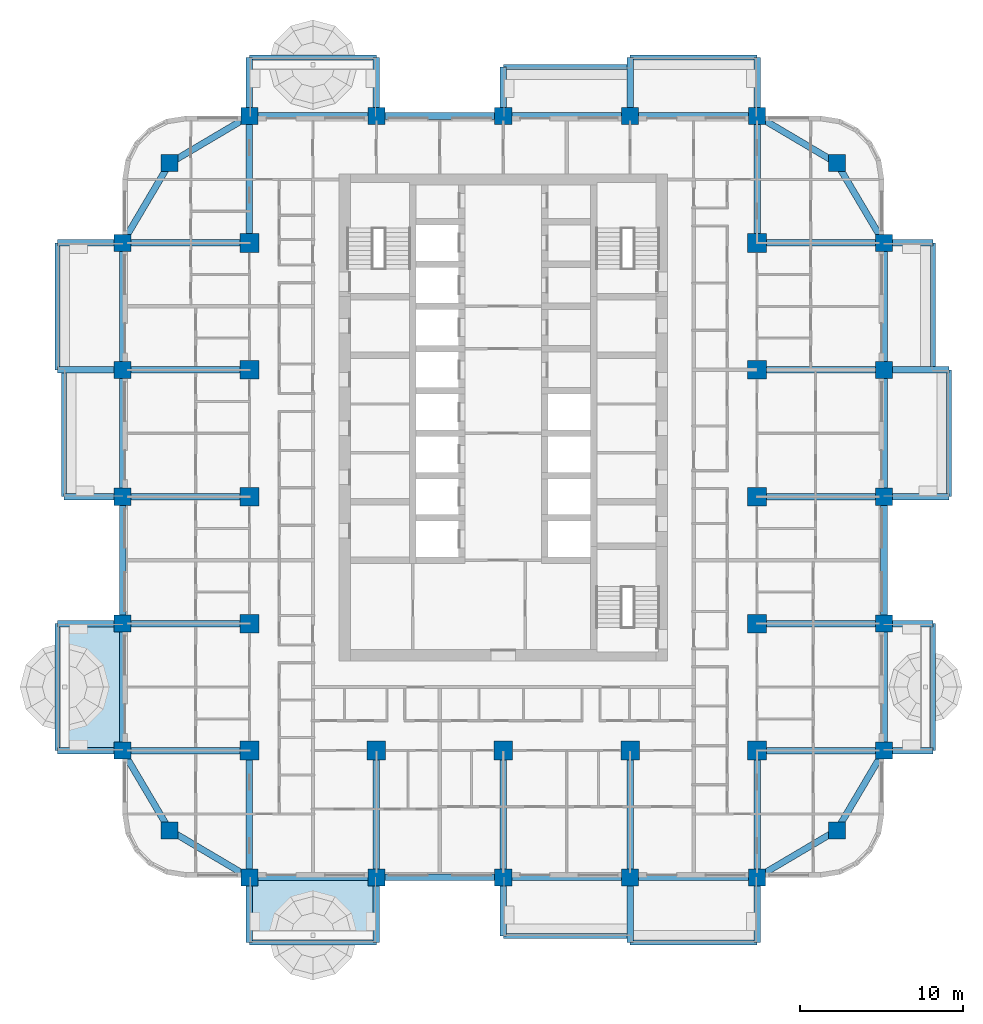
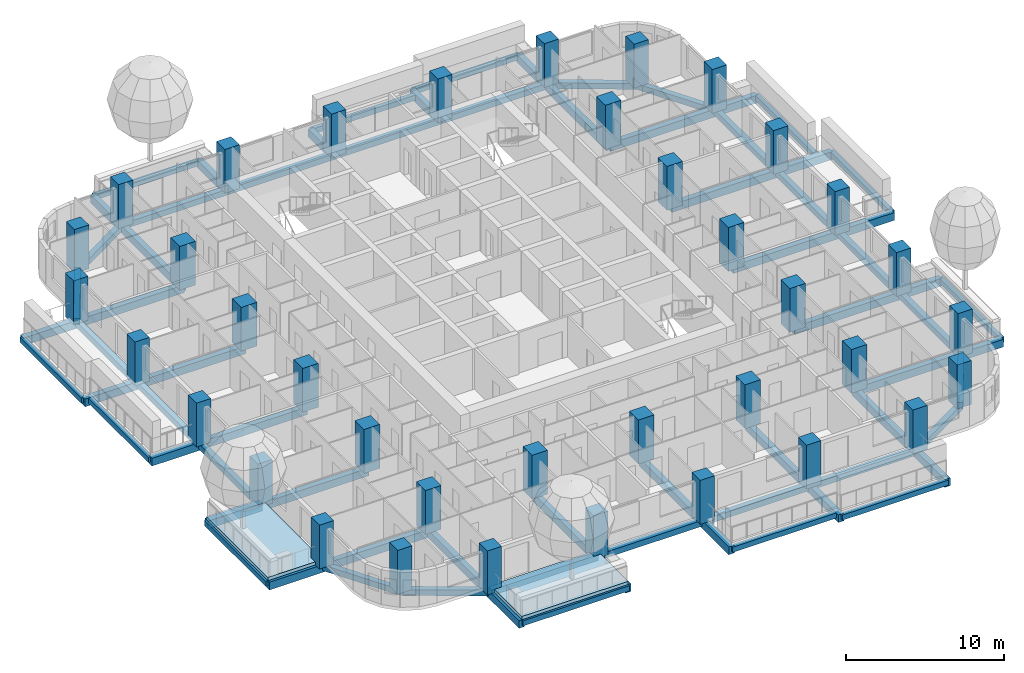
# One storey, part 1 of 19: 73 beams, 37 columns, 2 slabs.
"""IFC4 building model written with IfcOpenShell, lengths in metres."""

from ifc_helpers import new_model, si_unit, direction, frame, origin, origin_2d, place, context, subcontext, project, spatial, polyline, rectangle, outline, extrude, material, layer, layer_set, material_profile, profile_set, type_object, element, save


model = new_model("IFC4")

# Units and contexts
model_context = context("Model", 3, precision=1e-05, world=origin(), true_north=direction((0.0, 1.0)))
body_context = subcontext(model_context, "Body", "Model", "MODEL_VIEW")
ifc_project = project(units=[si_unit("LENGTHUNIT", "METRE"), si_unit("AREAUNIT", "SQUARE_METRE"), si_unit("VOLUMEUNIT", "CUBIC_METRE"), si_unit("PLANEANGLEUNIT", "RADIAN"), si_unit("MASSUNIT", "GRAM", prefix="KILO")], contexts=[model_context])

# Site, building, storey
site_placement = place(None, origin())
site = spatial("IfcSite", under=ifc_project, at=site_placement, CompositionType="ELEMENT")
building_placement = place(site_placement, origin())
building = spatial("IfcBuilding", under=site, at=building_placement, Name="Ludao Terraces", CompositionType="ELEMENT")
storey_placement = place(building_placement, frame((0.0, 0.0, 36.5)))
storey = spatial("IfcBuildingStorey", under=building, at=storey_placement, Name="L09", CompositionType="ELEMENT", Elevation=36.5)

# Columns
ifc_material_1 = material(Name="Concrete C60", Category="concrete")
ifc_material_profile_1 = material_profile(ifc_material_1, rectangle(XDim=1.050048828125, YDim=1.050048828125, at=origin_2d()), Name="1050 X 1050")
ifc_profile_set_1 = profile_set([ifc_material_profile_1], Name="Concrete C60")
column_type_1 = type_object("IfcColumnType", Name="RC column 1050x1050 C60", PredefinedType="COLUMN", material=ifc_profile_set_1)
for number, where, z_axis, x_axis, name in (
    (1, (64.5, 44.5, -0.25), (0.0, 0.0, 1.0), (1.0, 0.0, 0.0), "Column L09 C0029x0029"),
    (2, (105.5, 44.5, -0.25), (0.0, 0.0, 1.0), (1.0, 0.0, 0.0), "Column L09 C0439x0029"),
    (3, (64.5, 85.5, -0.25), (0.0, 0.0, 1.0), (1.0, 0.0, 0.0), "Column L09 C0029x0439"),
    (4, (105.5, 85.5, -0.25), (0.0, 0.0, 1.0), (1.0, 0.0, 0.0), "Column L09 C0439x0439"),
    (5, (61.60009765625, 49.39990234375, -0.25), (0.0, 0.0, 1.0), (1.0, 0.0, 0.0), "Column L09 F0000x0078"),
    (6, (108.39990234375, 49.39990234375, -0.25), (0.0, 0.0, 1.0), (1.0, 0.0, 0.0), "Column L09 F0468x0078"),
    (7, (69.39990234375, 41.60009765625, -0.25), (0.0, 0.0, 1.0), (1.0, 0.0, 0.0), "Column L09 F0078x0000"),
    (8, (69.39990234375, 88.39990234375, -0.25), (0.0, 0.0, 1.0), (1.0, 0.0, 0.0), "Column L09 F0078x0468"),
    (9, (61.60009765625, 57.199951171875, -0.25), (0.0, 0.0, 1.0), (1.0, 0.0, 0.0), "Column L09 F0000x0156"),
    (10, (108.39990234375, 57.199951171875, -0.25), (0.0, 0.0, 1.0), (1.0, 0.0, 0.0), "Column L09 F0468x0156"),
    (11, (77.199951171875, 41.60009765625, -0.25), (0.0, 0.0, 1.0), (1.0, 0.0, 0.0), "Column L09 F0156x0000"),
    (12, (77.199951171875, 88.39990234375, -0.25), (0.0, 0.0, 1.0), (1.0, 0.0, 0.0), "Column L09 F0156x0468"),
    (13, (61.60009765625, 65.0, -0.25), (0.0, 0.0, 1.0), (1.0, 0.0, 0.0), "Column L09 F0000x0234"),
    (14, (108.39990234375, 65.0, -0.25), (0.0, 0.0, 1.0), (1.0, 0.0, 0.0), "Column L09 F0468x0234"),
    (15, (85.0, 41.60009765625, -0.25), (0.0, 0.0, 1.0), (1.0, 0.0, 0.0), "Column L09 F0234x0000"),
    (16, (85.0, 88.39990234375, -0.25), (0.0, 0.0, 1.0), (1.0, 0.0, 0.0), "Column L09 F0234x0468"),
    (17, (61.60009765625, 72.800048828125, -0.25), (0.0, 0.0, 1.0), (1.0, 0.0, 0.0), "Column L09 F0000x0312"),
    (18, (108.39990234375, 72.800048828125, -0.25), (0.0, 0.0, 1.0), (1.0, 0.0, 0.0), "Column L09 F0468x0312"),
    (19, (92.800048828125, 41.60009765625, -0.25), (0.0, 0.0, 1.0), (1.0, 0.0, 0.0), "Column L09 F0312x0000"),
    (20, (92.800048828125, 88.39990234375, -0.25), (0.0, 0.0, 1.0), (1.0, 0.0, 0.0), "Column L09 F0312x0468"),
    (21, (61.60009765625, 80.60009765625, -0.25), (0.0, 0.0, 1.0), (1.0, 0.0, 0.0), "Column L09 F0000x0390"),
    (22, (108.39990234375, 80.60009765625, -0.25), (0.0, 0.0, 1.0), (1.0, 0.0, 0.0), "Column L09 F0468x0390"),
    (23, (100.60009765625, 41.60009765625, -0.25), (0.0, 0.0, 1.0), (1.0, 0.0, 0.0), "Column L09 F0390x0000"),
    (24, (100.60009765625, 88.39990234375, -0.25), (0.0, 0.0, 1.0), (1.0, 0.0, 0.0), "Column L09 F0390x0468"),
):
    element("IfcColumn", number, at=place(storey_placement, frame(where, z_axis=z_axis, x_axis=x_axis)), inside=storey, type_object=column_type_1, Name=name, PredefinedType="COLUMN", context=body_context, shape_type="SweptSolid", body=[
        extrude(rectangle(XDim=1.050048828125, YDim=1.050048828125, at=origin_2d()), origin(), (0.0, 0.0, 1.0), 3.39990234375),
    ])
ifc_material_profile_2 = material_profile(ifc_material_1, rectangle(XDim=1.14990234375, YDim=1.14990234375, at=origin_2d()), Name="1150 X 1150")
ifc_profile_set_2 = profile_set([ifc_material_profile_2], Name="Concrete C60")
column_type_2 = type_object("IfcColumnType", Name="RC column 1150x1150 C60", PredefinedType="COLUMN", material=ifc_profile_set_2)
for number, where, z_axis, x_axis, name in (
    (25, (69.39990234375, 49.39990234375, -0.25), (0.0, 0.0, 1.0), (1.0, 0.0, 0.0), "Column L09 S0078x0078"),
    (26, (69.39990234375, 57.199951171875, -0.25), (0.0, 0.0, 1.0), (1.0, 0.0, 0.0), "Column L09 S0078x0156"),
    (27, (69.39990234375, 65.0, -0.25), (0.0, 0.0, 1.0), (1.0, 0.0, 0.0), "Column L09 S0078x0234"),
    (28, (69.39990234375, 72.800048828125, -0.25), (0.0, 0.0, 1.0), (1.0, 0.0, 0.0), "Column L09 S0078x0312"),
    (29, (69.39990234375, 80.60009765625, -0.25), (0.0, 0.0, 1.0), (1.0, 0.0, 0.0), "Column L09 S0078x0390"),
    (30, (77.199951171875, 49.39990234375, -0.25), (0.0, 0.0, 1.0), (1.0, 0.0, 0.0), "Column L09 S0156x0078"),
    (31, (85.0, 49.39990234375, -0.25), (0.0, 0.0, 1.0), (1.0, 0.0, 0.0), "Column L09 S0234x0078"),
    (32, (92.800048828125, 49.39990234375, -0.25), (0.0, 0.0, 1.0), (1.0, 0.0, 0.0), "Column L09 S0312x0078"),
    (33, (100.60009765625, 49.39990234375, -0.25), (0.0, 0.0, 1.0), (1.0, 0.0, 0.0), "Column L09 S0390x0078"),
    (34, (100.60009765625, 57.199951171875, -0.25), (0.0, 0.0, 1.0), (1.0, 0.0, 0.0), "Column L09 S0390x0156"),
    (35, (100.60009765625, 65.0, -0.25), (0.0, 0.0, 1.0), (1.0, 0.0, 0.0), "Column L09 S0390x0234"),
    (36, (100.60009765625, 72.800048828125, -0.25), (0.0, 0.0, 1.0), (1.0, 0.0, 0.0), "Column L09 S0390x0312"),
    (37, (100.60009765625, 80.60009765625, -0.25), (0.0, 0.0, 1.0), (1.0, 0.0, 0.0), "Column L09 S0390x0390"),
):
    element("IfcColumn", number, at=place(storey_placement, frame(where, z_axis=z_axis, x_axis=x_axis)), inside=storey, type_object=column_type_2, Name=name, PredefinedType="COLUMN", context=body_context, shape_type="SweptSolid", body=[
        extrude(rectangle(XDim=1.14990234375, YDim=1.14990234375, at=origin_2d()), origin(), (0.0, 0.0, 1.0), 3.39990234375),
    ])

# Beams
ifc_material_2 = material(Name="Concrete C40", Category="concrete")
ifc_material_profile_3 = material_profile(ifc_material_2, rectangle(XDim=0.300048828125, YDim=0.39990234375, at=origin_2d()), Name="300 X 400")
ifc_profile_set_3 = profile_set([ifc_material_profile_3], Name="Concrete C40")
beam_type_1 = type_object("IfcBeamType", Name="RC beam 300x400 C40", PredefinedType="BEAM", material=ifc_profile_set_3)
for number, where, z_axis, x_axis, name in (
    (38, (69.39990234375, 37.60009765625, -0.449951171875), (1.0, 0.0, 0.0), (0.0, 1.0, 0.0), "Balcony edge beam L09 S1"),
    (39, (85.0, 38.0, -0.449951171875), (1.0, 0.0, 0.0), (0.0, 1.0, 0.0), "Balcony edge beam L09 S3"),
    (40, (92.800048828125, 37.60009765625, -0.449951171875), (1.0, 0.0, 0.0), (0.0, 1.0, 0.0), "Balcony edge beam L09 S4"),
    (41, (111.39990234375, 49.39990234375, -0.449951171875), (0.0, 1.0, 0.0), (-1.0, 0.0, 0.0), "Balcony edge beam L09 E1"),
    (42, (112.39990234375, 65.0, -0.449951171875), (0.0, 1.0, 0.0), (-1.0, 0.0, 0.0), "Balcony edge beam L09 E3"),
    (43, (111.39990234375, 72.800048828125, -0.449951171875), (0.0, 1.0, 0.0), (-1.0, 0.0, 0.0), "Balcony edge beam L09 E4"),
    (44, (69.39990234375, 92.0, -0.449951171875), (1.0, 0.0, 0.0), (0.0, 1.0, 0.0), "Balcony edge beam L09 N1"),
    (45, (85.0, 91.39990234375, -0.449951171875), (1.0, 0.0, 0.0), (0.0, 1.0, 0.0), "Balcony edge beam L09 N3"),
    (46, (92.800048828125, 92.0, -0.449951171875), (1.0, 0.0, 0.0), (0.0, 1.0, 0.0), "Balcony edge beam L09 N4"),
    (47, (57.60009765625, 49.39990234375, -0.449951171875), (0.0, 1.0, 0.0), (-1.0, 0.0, 0.0), "Balcony edge beam L09 W1"),
    (48, (58.0, 65.0, -0.449951171875), (0.0, 1.0, 0.0), (-1.0, 0.0, 0.0), "Balcony edge beam L09 W3"),
    (49, (57.60009765625, 72.800048828125, -0.449951171875), (0.0, 1.0, 0.0), (-1.0, 0.0, 0.0), "Balcony edge beam L09 W4"),
):
    element("IfcBeam", number, at=place(storey_placement, frame(where, z_axis=z_axis, x_axis=x_axis)), inside=storey, type_object=beam_type_1, Name=name, PredefinedType="BEAM", context=body_context, shape_type="SweptSolid", body=[
        extrude(rectangle(XDim=0.300048828125, YDim=0.39990234375, at=origin_2d()), origin(), (0.0, 0.0, 1.0), 7.800048828125),
    ])
ifc_material_profile_4 = material_profile(ifc_material_2, rectangle(XDim=0.39990234375, YDim=0.449951171875, at=origin_2d()), Name="400 X 450")
ifc_profile_set_4 = profile_set([ifc_material_profile_4], Name="Concrete C40")
beam_type_2 = type_object("IfcBeamType", Name="RC beam 400x450 C40", PredefinedType="BEAM", material=ifc_profile_set_4)
beam_1_placement = place(storey_placement, frame((64.5, 44.5, -0.47509765625), z_axis=(0.860579751256, -0.509315709288, 0.0), x_axis=(0.509315709288, 0.860579751256, 0.0)))
element("IfcBeam", 50, at=beam_1_placement, inside=storey, type_object=beam_type_2, Name="Spandrel beam L09 S1", PredefinedType="BEAM", context=body_context, shape_type="SweptSolid", body=[
    extrude(rectangle(XDim=0.39990234375, YDim=0.449951171875, at=origin_2d()), origin(), (0.0, 0.0, 1.0), 5.693603515625),
])
for number, where, z_axis, x_axis, name in (
    (51, (69.39990234375, 41.60009765625, -0.47509765625), (1.0, 0.0, 0.0), (0.0, 1.0, 0.0), "Spandrel beam L09 S2"),
    (52, (77.199951171875, 41.60009765625, -0.47509765625), (1.0, 0.0, 0.0), (0.0, 1.0, 0.0), "Spandrel beam L09 S3"),
    (53, (85.0, 41.60009765625, -0.47509765625), (1.0, 0.0, 0.0), (0.0, 1.0, 0.0), "Spandrel beam L09 S4"),
    (54, (92.800048828125, 41.60009765625, -0.47509765625), (1.0, 0.0, 0.0), (0.0, 1.0, 0.0), "Spandrel beam L09 S5"),
):
    element("IfcBeam", number, at=place(storey_placement, frame(where, z_axis=z_axis, x_axis=x_axis)), inside=storey, type_object=beam_type_2, Name=name, PredefinedType="BEAM", context=body_context, shape_type="SweptSolid", body=[
        extrude(rectangle(XDim=0.39990234375, YDim=0.449951171875, at=origin_2d()), origin(), (0.0, 0.0, 1.0), 7.800048828125),
    ])
for number, where, z_axis, x_axis, name in (
    (55, (100.60009765625, 41.60009765625, -0.47509765625), (0.860579751256, 0.509315709288, 0.0), (-0.509315709288, 0.860579751256, 0.0), "Spandrel beam L09 S6"),
    (56, (64.5, 85.5, -0.47509765625), (0.860579751256, 0.509315709288, 0.0), (-0.509315709288, 0.860579751256, 0.0), "Spandrel beam L09 N7"),
):
    element("IfcBeam", number, at=place(storey_placement, frame(where, z_axis=z_axis, x_axis=x_axis)), inside=storey, type_object=beam_type_2, Name=name, PredefinedType="BEAM", context=body_context, shape_type="SweptSolid", body=[
        extrude(rectangle(XDim=0.39990234375, YDim=0.449951171875, at=origin_2d()), origin(), (0.0, 0.0, 1.0), 5.693603515625),
    ])
for number, where, z_axis, x_axis, name in (
    (57, (69.39990234375, 88.39990234375, -0.47509765625), (1.0, 0.0, 0.0), (0.0, 1.0, 0.0), "Spandrel beam L09 N8"),
    (58, (77.199951171875, 88.39990234375, -0.47509765625), (1.0, 0.0, 0.0), (0.0, 1.0, 0.0), "Spandrel beam L09 N9"),
    (59, (85.0, 88.39990234375, -0.47509765625), (1.0, 0.0, 0.0), (0.0, 1.0, 0.0), "Spandrel beam L09 N10"),
    (60, (92.800048828125, 88.39990234375, -0.47509765625), (1.0, 0.0, 0.0), (0.0, 1.0, 0.0), "Spandrel beam L09 N11"),
):
    element("IfcBeam", number, at=place(storey_placement, frame(where, z_axis=z_axis, x_axis=x_axis)), inside=storey, type_object=beam_type_2, Name=name, PredefinedType="BEAM", context=body_context, shape_type="SweptSolid", body=[
        extrude(rectangle(XDim=0.39990234375, YDim=0.449951171875, at=origin_2d()), origin(), (0.0, 0.0, 1.0), 7.800048828125),
    ])
for number, where, z_axis, x_axis, name in (
    (61, (100.60009765625, 88.39990234375, -0.47509765625), (0.860579751256, -0.509315709288, 0.0), (0.509315709288, 0.860579751256, 0.0), "Spandrel beam L09 N12"),
    (62, (64.5, 44.5, -0.47509765625), (-0.509315709288, 0.860579751256, 0.0), (-0.860579751256, -0.509315709288, 0.0), "Spandrel beam L09 W13"),
):
    element("IfcBeam", number, at=place(storey_placement, frame(where, z_axis=z_axis, x_axis=x_axis)), inside=storey, type_object=beam_type_2, Name=name, PredefinedType="BEAM", context=body_context, shape_type="SweptSolid", body=[
        extrude(rectangle(XDim=0.39990234375, YDim=0.449951171875, at=origin_2d()), origin(), (0.0, 0.0, 1.0), 5.693603515625),
    ])
for number, where, z_axis, x_axis, name in (
    (63, (61.60009765625, 49.39990234375, -0.47509765625), (0.0, 1.0, 0.0), (-1.0, 0.0, 0.0), "Spandrel beam L09 W14"),
    (64, (61.60009765625, 57.199951171875, -0.47509765625), (0.0, 1.0, 0.0), (-1.0, 0.0, 0.0), "Spandrel beam L09 W15"),
    (65, (61.60009765625, 65.0, -0.47509765625), (0.0, 1.0, 0.0), (-1.0, 0.0, 0.0), "Spandrel beam L09 W16"),
    (66, (61.60009765625, 72.800048828125, -0.47509765625), (0.0, 1.0, 0.0), (-1.0, 0.0, 0.0), "Spandrel beam L09 W17"),
):
    element("IfcBeam", number, at=place(storey_placement, frame(where, z_axis=z_axis, x_axis=x_axis)), inside=storey, type_object=beam_type_2, Name=name, PredefinedType="BEAM", context=body_context, shape_type="SweptSolid", body=[
        extrude(rectangle(XDim=0.39990234375, YDim=0.449951171875, at=origin_2d()), origin(), (0.0, 0.0, 1.0), 7.800048828125),
    ])
for number, where, z_axis, x_axis, name in (
    (67, (61.60009765625, 80.60009765625, -0.47509765625), (0.509315709288, 0.860579751256, 0.0), (-0.860579751256, 0.509315709288, 0.0), "Spandrel beam L09 W18"),
    (68, (105.5, 44.5, -0.47509765625), (0.509315709288, 0.860579751256, 0.0), (-0.860579751256, 0.509315709288, 0.0), "Spandrel beam L09 E19"),
):
    element("IfcBeam", number, at=place(storey_placement, frame(where, z_axis=z_axis, x_axis=x_axis)), inside=storey, type_object=beam_type_2, Name=name, PredefinedType="BEAM", context=body_context, shape_type="SweptSolid", body=[
        extrude(rectangle(XDim=0.39990234375, YDim=0.449951171875, at=origin_2d()), origin(), (0.0, 0.0, 1.0), 5.693603515625),
    ])
for number, where, z_axis, x_axis, name in (
    (69, (108.39990234375, 49.39990234375, -0.47509765625), (0.0, 1.0, 0.0), (-1.0, 0.0, 0.0), "Spandrel beam L09 E20"),
    (70, (108.39990234375, 57.199951171875, -0.47509765625), (0.0, 1.0, 0.0), (-1.0, 0.0, 0.0), "Spandrel beam L09 E21"),
    (71, (108.39990234375, 65.0, -0.47509765625), (0.0, 1.0, 0.0), (-1.0, 0.0, 0.0), "Spandrel beam L09 E22"),
    (72, (108.39990234375, 72.800048828125, -0.47509765625), (0.0, 1.0, 0.0), (-1.0, 0.0, 0.0), "Spandrel beam L09 E23"),
):
    element("IfcBeam", number, at=place(storey_placement, frame(where, z_axis=z_axis, x_axis=x_axis)), inside=storey, type_object=beam_type_2, Name=name, PredefinedType="BEAM", context=body_context, shape_type="SweptSolid", body=[
        extrude(rectangle(XDim=0.39990234375, YDim=0.449951171875, at=origin_2d()), origin(), (0.0, 0.0, 1.0), 7.800048828125),
    ])
beam_2_placement = place(storey_placement, frame((108.39990234375, 80.60009765625, -0.47509765625), z_axis=(-0.509315709288, 0.860579751256, 0.0), x_axis=(-0.860579751256, -0.509315709288, 0.0)))
element("IfcBeam", 73, at=beam_2_placement, inside=storey, type_object=beam_type_2, Name="Spandrel beam L09 E24", PredefinedType="BEAM", context=body_context, shape_type="SweptSolid", body=[
    extrude(rectangle(XDim=0.39990234375, YDim=0.449951171875, at=origin_2d()), origin(), (0.0, 0.0, 1.0), 5.693603515625),
])
ifc_material_profile_5 = material_profile(ifc_material_2, rectangle(XDim=0.39990234375, YDim=0.60009765625, at=origin_2d()), Name="400 X 600")
ifc_profile_set_5 = profile_set([ifc_material_profile_5], Name="Concrete C40")
beam_type_3 = type_object("IfcBeamType", Name="RC beam 400x600 C40", PredefinedType="BEAM", material=ifc_profile_set_5)
beam_3_placement = place(storey_placement, frame((100.60009765625, 49.39990234375, -0.550048828125), z_axis=(1.0, 0.0, 0.0), x_axis=(0.0, 1.0, 0.0)))
element("IfcBeam", 74, at=beam_3_placement, inside=storey, type_object=beam_type_3, Name="Balcony beam L09 E494", PredefinedType="BEAM", context=body_context, shape_type="SweptSolid", body=[
    extrude(rectangle(XDim=0.39990234375, YDim=0.60009765625, at=origin_2d()), origin(), (0.0, 0.0, 1.0), 7.7998046875),
])
beam_4_placement = place(storey_placement, frame((108.39990234375, 49.39990234375, -0.550048828125), z_axis=(1.0, 0.0, 0.0), x_axis=(0.0, 1.0, 0.0)))
element("IfcBeam", 75, at=beam_4_placement, inside=storey, type_object=beam_type_3, Name="Balcony beam L09 E494", PredefinedType="BEAM", context=body_context, shape_type="SweptSolid", body=[
    extrude(rectangle(XDim=0.39990234375, YDim=0.60009765625, at=origin_2d()), origin(), (0.0, 0.0, 1.0), 3.0),
])
beam_5_placement = place(storey_placement, frame((100.60009765625, 57.199951171875, -0.550048828125), z_axis=(1.0, 0.0, 0.0), x_axis=(0.0, 1.0, 0.0)))
element("IfcBeam", 76, at=beam_5_placement, inside=storey, type_object=beam_type_3, Name="Balcony beam L09 E572", PredefinedType="BEAM", context=body_context, shape_type="SweptSolid", body=[
    extrude(rectangle(XDim=0.39990234375, YDim=0.60009765625, at=origin_2d()), origin(), (0.0, 0.0, 1.0), 7.7998046875),
])
beam_6_placement = place(storey_placement, frame((108.39990234375, 57.199951171875, -0.550048828125), z_axis=(1.0, 0.0, 0.0), x_axis=(0.0, 1.0, 0.0)))
element("IfcBeam", 77, at=beam_6_placement, inside=storey, type_object=beam_type_3, Name="Balcony beam L09 E572", PredefinedType="BEAM", context=body_context, shape_type="SweptSolid", body=[
    extrude(rectangle(XDim=0.39990234375, YDim=0.60009765625, at=origin_2d()), origin(), (0.0, 0.0, 1.0), 3.0),
])
beam_7_placement = place(storey_placement, frame((100.60009765625, 65.0, -0.550048828125), z_axis=(1.0, 0.0, 0.0), x_axis=(0.0, 1.0, 0.0)))
element("IfcBeam", 78, at=beam_7_placement, inside=storey, type_object=beam_type_3, Name="Balcony beam L09 E650", PredefinedType="BEAM", context=body_context, shape_type="SweptSolid", body=[
    extrude(rectangle(XDim=0.39990234375, YDim=0.60009765625, at=origin_2d()), origin(), (0.0, 0.0, 1.0), 7.7998046875),
])
beam_8_placement = place(storey_placement, frame((108.39990234375, 65.0, -0.550048828125), z_axis=(1.0, 0.0, 0.0), x_axis=(0.0, 1.0, 0.0)))
element("IfcBeam", 79, at=beam_8_placement, inside=storey, type_object=beam_type_3, Name="Balcony beam L09 E650", PredefinedType="BEAM", context=body_context, shape_type="SweptSolid", body=[
    extrude(rectangle(XDim=0.39990234375, YDim=0.60009765625, at=origin_2d()), origin(), (0.0, 0.0, 1.0), 4.0),
])
beam_9_placement = place(storey_placement, frame((100.60009765625, 72.800048828125, -0.550048828125), z_axis=(1.0, 0.0, 0.0), x_axis=(0.0, 1.0, 0.0)))
element("IfcBeam", 80, at=beam_9_placement, inside=storey, type_object=beam_type_3, Name="Balcony beam L09 E728", PredefinedType="BEAM", context=body_context, shape_type="SweptSolid", body=[
    extrude(rectangle(XDim=0.39990234375, YDim=0.60009765625, at=origin_2d()), origin(), (0.0, 0.0, 1.0), 7.7998046875),
])
beam_10_placement = place(storey_placement, frame((108.39990234375, 72.800048828125, -0.550048828125), z_axis=(1.0, 0.0, 0.0), x_axis=(0.0, 1.0, 0.0)))
element("IfcBeam", 81, at=beam_10_placement, inside=storey, type_object=beam_type_3, Name="Balcony beam L09 E728", PredefinedType="BEAM", context=body_context, shape_type="SweptSolid", body=[
    extrude(rectangle(XDim=0.39990234375, YDim=0.60009765625, at=origin_2d()), origin(), (0.0, 0.0, 1.0), 4.0),
])
beam_11_placement = place(storey_placement, frame((100.60009765625, 80.60009765625, -0.550048828125), z_axis=(1.0, 0.0, 0.0), x_axis=(0.0, 1.0, 0.0)))
element("IfcBeam", 82, at=beam_11_placement, inside=storey, type_object=beam_type_3, Name="Balcony beam L09 E806", PredefinedType="BEAM", context=body_context, shape_type="SweptSolid", body=[
    extrude(rectangle(XDim=0.39990234375, YDim=0.60009765625, at=origin_2d()), origin(), (0.0, 0.0, 1.0), 7.7998046875),
])
beam_12_placement = place(storey_placement, frame((108.39990234375, 80.60009765625, -0.550048828125), z_axis=(1.0, 0.0, 0.0), x_axis=(0.0, 1.0, 0.0)))
element("IfcBeam", 83, at=beam_12_placement, inside=storey, type_object=beam_type_3, Name="Balcony beam L09 E806", PredefinedType="BEAM", context=body_context, shape_type="SweptSolid", body=[
    extrude(rectangle(XDim=0.39990234375, YDim=0.60009765625, at=origin_2d()), origin(), (0.0, 0.0, 1.0), 3.0),
])
beam_13_placement = place(storey_placement, frame((100.60009765625, 80.60009765625, -0.550048828125), z_axis=(0.0, 1.0, 0.0), x_axis=(-1.0, 0.0, 0.0)))
element("IfcBeam", 84, at=beam_13_placement, inside=storey, type_object=beam_type_3, Name="Balcony beam L09 N1006", PredefinedType="BEAM", context=body_context, shape_type="SweptSolid", body=[
    extrude(rectangle(XDim=0.39990234375, YDim=0.60009765625, at=origin_2d()), origin(), (0.0, 0.0, 1.0), 7.7998046875),
])
beam_14_placement = place(storey_placement, frame((100.60009765625, 88.39990234375, -0.550048828125), z_axis=(0.0, 1.0, 0.0), x_axis=(-1.0, 0.0, 0.0)))
element("IfcBeam", 85, at=beam_14_placement, inside=storey, type_object=beam_type_3, Name="Balcony beam L09 N1006", PredefinedType="BEAM", context=body_context, shape_type="SweptSolid", body=[
    extrude(rectangle(XDim=0.39990234375, YDim=0.60009765625, at=origin_2d()), origin(), (0.0, 0.0, 1.0), 3.60009765625),
])
beam_15_placement = place(storey_placement, frame((69.39990234375, 80.60009765625, -0.550048828125), z_axis=(0.0, 1.0, 0.0), x_axis=(-1.0, 0.0, 0.0)))
element("IfcBeam", 86, at=beam_15_placement, inside=storey, type_object=beam_type_3, Name="Balcony beam L09 N694", PredefinedType="BEAM", context=body_context, shape_type="SweptSolid", body=[
    extrude(rectangle(XDim=0.39990234375, YDim=0.60009765625, at=origin_2d()), origin(), (0.0, 0.0, 1.0), 7.7998046875),
])
for number, where, z_axis, x_axis, name in (
    (87, (69.39990234375, 88.39990234375, -0.550048828125), (0.0, 1.0, 0.0), (-1.0, 0.0, 0.0), "Balcony beam L09 N694"),
    (88, (77.199951171875, 88.39990234375, -0.550048828125), (0.0, 1.0, 0.0), (-1.0, 0.0, 0.0), "Balcony beam L09 N772"),
):
    element("IfcBeam", number, at=place(storey_placement, frame(where, z_axis=z_axis, x_axis=x_axis)), inside=storey, type_object=beam_type_3, Name=name, PredefinedType="BEAM", context=body_context, shape_type="SweptSolid", body=[
        extrude(rectangle(XDim=0.39990234375, YDim=0.60009765625, at=origin_2d()), origin(), (0.0, 0.0, 1.0), 3.60009765625),
    ])
beam_16_placement = place(storey_placement, frame((85.0, 88.39990234375, -0.550048828125), z_axis=(0.0, 1.0, 0.0), x_axis=(-1.0, 0.0, 0.0)))
element("IfcBeam", 89, at=beam_16_placement, inside=storey, type_object=beam_type_3, Name="Balcony beam L09 N850", PredefinedType="BEAM", context=body_context, shape_type="SweptSolid", body=[
    extrude(rectangle(XDim=0.39990234375, YDim=0.60009765625, at=origin_2d()), origin(), (0.0, 0.0, 1.0), 3.0),
])
beam_17_placement = place(storey_placement, frame((92.800048828125, 88.39990234375, -0.550048828125), z_axis=(0.0, 1.0, 0.0), x_axis=(-1.0, 0.0, 0.0)))
element("IfcBeam", 90, at=beam_17_placement, inside=storey, type_object=beam_type_3, Name="Balcony beam L09 N928", PredefinedType="BEAM", context=body_context, shape_type="SweptSolid", body=[
    extrude(rectangle(XDim=0.39990234375, YDim=0.60009765625, at=origin_2d()), origin(), (0.0, 0.0, 1.0), 3.60009765625),
])
beam_18_placement = place(storey_placement, frame((100.60009765625, 49.39990234375, -0.550048828125), z_axis=(0.0, -1.0, 0.0), x_axis=(1.0, 0.0, 0.0)))
element("IfcBeam", 91, at=beam_18_placement, inside=storey, type_object=beam_type_3, Name="Balcony beam L09 S1006", PredefinedType="BEAM", context=body_context, shape_type="SweptSolid", body=[
    extrude(rectangle(XDim=0.39990234375, YDim=0.60009765625, at=origin_2d()), origin(), (0.0, 0.0, 1.0), 7.7998046875),
])
beam_19_placement = place(storey_placement, frame((100.60009765625, 41.60009765625, -0.550048828125), z_axis=(0.0, -1.0, 0.0), x_axis=(1.0, 0.0, 0.0)))
element("IfcBeam", 92, at=beam_19_placement, inside=storey, type_object=beam_type_3, Name="Balcony beam L09 S1006", PredefinedType="BEAM", context=body_context, shape_type="SweptSolid", body=[
    extrude(rectangle(XDim=0.39990234375, YDim=0.60009765625, at=origin_2d()), origin(), (0.0, 0.0, 1.0), 4.0),
])
beam_20_placement = place(storey_placement, frame((69.39990234375, 49.39990234375, -0.550048828125), z_axis=(0.0, -1.0, 0.0), x_axis=(1.0, 0.0, 0.0)))
element("IfcBeam", 93, at=beam_20_placement, inside=storey, type_object=beam_type_3, Name="Balcony beam L09 S694", PredefinedType="BEAM", context=body_context, shape_type="SweptSolid", body=[
    extrude(rectangle(XDim=0.39990234375, YDim=0.60009765625, at=origin_2d()), origin(), (0.0, 0.0, 1.0), 7.7998046875),
])
beam_21_placement = place(storey_placement, frame((69.39990234375, 41.60009765625, -0.550048828125), z_axis=(0.0, -1.0, 0.0), x_axis=(1.0, 0.0, 0.0)))
element("IfcBeam", 94, at=beam_21_placement, inside=storey, type_object=beam_type_3, Name="Balcony beam L09 S694", PredefinedType="BEAM", context=body_context, shape_type="SweptSolid", body=[
    extrude(rectangle(XDim=0.39990234375, YDim=0.60009765625, at=origin_2d()), origin(), (0.0, 0.0, 1.0), 4.0),
])
beam_22_placement = place(storey_placement, frame((77.199951171875, 49.39990234375, -0.550048828125), z_axis=(0.0, -1.0, 0.0), x_axis=(1.0, 0.0, 0.0)))
element("IfcBeam", 95, at=beam_22_placement, inside=storey, type_object=beam_type_3, Name="Balcony beam L09 S772", PredefinedType="BEAM", context=body_context, shape_type="SweptSolid", body=[
    extrude(rectangle(XDim=0.39990234375, YDim=0.60009765625, at=origin_2d()), origin(), (0.0, 0.0, 1.0), 7.7998046875),
])
beam_23_placement = place(storey_placement, frame((77.199951171875, 41.60009765625, -0.550048828125), z_axis=(0.0, -1.0, 0.0), x_axis=(1.0, 0.0, 0.0)))
element("IfcBeam", 96, at=beam_23_placement, inside=storey, type_object=beam_type_3, Name="Balcony beam L09 S772", PredefinedType="BEAM", context=body_context, shape_type="SweptSolid", body=[
    extrude(rectangle(XDim=0.39990234375, YDim=0.60009765625, at=origin_2d()), origin(), (0.0, 0.0, 1.0), 4.0),
])
beam_24_placement = place(storey_placement, frame((85.0, 49.39990234375, -0.550048828125), z_axis=(0.0, -1.0, 0.0), x_axis=(1.0, 0.0, 0.0)))
element("IfcBeam", 97, at=beam_24_placement, inside=storey, type_object=beam_type_3, Name="Balcony beam L09 S850", PredefinedType="BEAM", context=body_context, shape_type="SweptSolid", body=[
    extrude(rectangle(XDim=0.39990234375, YDim=0.60009765625, at=origin_2d()), origin(), (0.0, 0.0, 1.0), 7.7998046875),
])
beam_25_placement = place(storey_placement, frame((85.0, 41.60009765625, -0.550048828125), z_axis=(0.0, -1.0, 0.0), x_axis=(1.0, 0.0, 0.0)))
element("IfcBeam", 98, at=beam_25_placement, inside=storey, type_object=beam_type_3, Name="Balcony beam L09 S850", PredefinedType="BEAM", context=body_context, shape_type="SweptSolid", body=[
    extrude(rectangle(XDim=0.39990234375, YDim=0.60009765625, at=origin_2d()), origin(), (0.0, 0.0, 1.0), 3.60009765625),
])
beam_26_placement = place(storey_placement, frame((92.800048828125, 49.39990234375, -0.550048828125), z_axis=(0.0, -1.0, 0.0), x_axis=(1.0, 0.0, 0.0)))
element("IfcBeam", 99, at=beam_26_placement, inside=storey, type_object=beam_type_3, Name="Balcony beam L09 S928", PredefinedType="BEAM", context=body_context, shape_type="SweptSolid", body=[
    extrude(rectangle(XDim=0.39990234375, YDim=0.60009765625, at=origin_2d()), origin(), (0.0, 0.0, 1.0), 7.7998046875),
])
beam_27_placement = place(storey_placement, frame((92.800048828125, 41.60009765625, -0.550048828125), z_axis=(0.0, -1.0, 0.0), x_axis=(1.0, 0.0, 0.0)))
element("IfcBeam", 100, at=beam_27_placement, inside=storey, type_object=beam_type_3, Name="Balcony beam L09 S928", PredefinedType="BEAM", context=body_context, shape_type="SweptSolid", body=[
    extrude(rectangle(XDim=0.39990234375, YDim=0.60009765625, at=origin_2d()), origin(), (0.0, 0.0, 1.0), 4.0),
])
beam_28_placement = place(storey_placement, frame((69.39990234375, 49.39990234375, -0.550048828125), z_axis=(-1.0, 0.0, 0.0), x_axis=(0.0, -1.0, 0.0)))
element("IfcBeam", 101, at=beam_28_placement, inside=storey, type_object=beam_type_3, Name="Balcony beam L09 W494", PredefinedType="BEAM", context=body_context, shape_type="SweptSolid", body=[
    extrude(rectangle(XDim=0.39990234375, YDim=0.60009765625, at=origin_2d()), origin(), (0.0, 0.0, 1.0), 7.7998046875),
])
beam_29_placement = place(storey_placement, frame((61.60009765625, 49.39990234375, -0.550048828125), z_axis=(-1.0, 0.0, 0.0), x_axis=(0.0, -1.0, 0.0)))
element("IfcBeam", 102, at=beam_29_placement, inside=storey, type_object=beam_type_3, Name="Balcony beam L09 W494", PredefinedType="BEAM", context=body_context, shape_type="SweptSolid", body=[
    extrude(rectangle(XDim=0.39990234375, YDim=0.60009765625, at=origin_2d()), origin(), (0.0, 0.0, 1.0), 4.0),
])
beam_30_placement = place(storey_placement, frame((69.39990234375, 57.199951171875, -0.550048828125), z_axis=(-1.0, 0.0, 0.0), x_axis=(0.0, -1.0, 0.0)))
element("IfcBeam", 103, at=beam_30_placement, inside=storey, type_object=beam_type_3, Name="Balcony beam L09 W572", PredefinedType="BEAM", context=body_context, shape_type="SweptSolid", body=[
    extrude(rectangle(XDim=0.39990234375, YDim=0.60009765625, at=origin_2d()), origin(), (0.0, 0.0, 1.0), 7.7998046875),
])
beam_31_placement = place(storey_placement, frame((61.60009765625, 57.199951171875, -0.550048828125), z_axis=(-1.0, 0.0, 0.0), x_axis=(0.0, -1.0, 0.0)))
element("IfcBeam", 104, at=beam_31_placement, inside=storey, type_object=beam_type_3, Name="Balcony beam L09 W572", PredefinedType="BEAM", context=body_context, shape_type="SweptSolid", body=[
    extrude(rectangle(XDim=0.39990234375, YDim=0.60009765625, at=origin_2d()), origin(), (0.0, 0.0, 1.0), 4.0),
])
beam_32_placement = place(storey_placement, frame((69.39990234375, 65.0, -0.550048828125), z_axis=(-1.0, 0.0, 0.0), x_axis=(0.0, -1.0, 0.0)))
element("IfcBeam", 105, at=beam_32_placement, inside=storey, type_object=beam_type_3, Name="Balcony beam L09 W650", PredefinedType="BEAM", context=body_context, shape_type="SweptSolid", body=[
    extrude(rectangle(XDim=0.39990234375, YDim=0.60009765625, at=origin_2d()), origin(), (0.0, 0.0, 1.0), 7.7998046875),
])
beam_33_placement = place(storey_placement, frame((61.60009765625, 65.0, -0.550048828125), z_axis=(-1.0, 0.0, 0.0), x_axis=(0.0, -1.0, 0.0)))
element("IfcBeam", 106, at=beam_33_placement, inside=storey, type_object=beam_type_3, Name="Balcony beam L09 W650", PredefinedType="BEAM", context=body_context, shape_type="SweptSolid", body=[
    extrude(rectangle(XDim=0.39990234375, YDim=0.60009765625, at=origin_2d()), origin(), (0.0, 0.0, 1.0), 3.60009765625),
])
beam_34_placement = place(storey_placement, frame((69.39990234375, 72.800048828125, -0.550048828125), z_axis=(-1.0, 0.0, 0.0), x_axis=(0.0, -1.0, 0.0)))
element("IfcBeam", 107, at=beam_34_placement, inside=storey, type_object=beam_type_3, Name="Balcony beam L09 W728", PredefinedType="BEAM", context=body_context, shape_type="SweptSolid", body=[
    extrude(rectangle(XDim=0.39990234375, YDim=0.60009765625, at=origin_2d()), origin(), (0.0, 0.0, 1.0), 7.7998046875),
])
beam_35_placement = place(storey_placement, frame((61.60009765625, 72.800048828125, -0.550048828125), z_axis=(-1.0, 0.0, 0.0), x_axis=(0.0, -1.0, 0.0)))
element("IfcBeam", 108, at=beam_35_placement, inside=storey, type_object=beam_type_3, Name="Balcony beam L09 W728", PredefinedType="BEAM", context=body_context, shape_type="SweptSolid", body=[
    extrude(rectangle(XDim=0.39990234375, YDim=0.60009765625, at=origin_2d()), origin(), (0.0, 0.0, 1.0), 4.0),
])
beam_36_placement = place(storey_placement, frame((69.39990234375, 80.60009765625, -0.550048828125), z_axis=(-1.0, 0.0, 0.0), x_axis=(0.0, -1.0, 0.0)))
element("IfcBeam", 109, at=beam_36_placement, inside=storey, type_object=beam_type_3, Name="Balcony beam L09 W806", PredefinedType="BEAM", context=body_context, shape_type="SweptSolid", body=[
    extrude(rectangle(XDim=0.39990234375, YDim=0.60009765625, at=origin_2d()), origin(), (0.0, 0.0, 1.0), 7.7998046875),
])
beam_37_placement = place(storey_placement, frame((61.60009765625, 80.60009765625, -0.550048828125), z_axis=(-1.0, 0.0, 0.0), x_axis=(0.0, -1.0, 0.0)))
element("IfcBeam", 110, at=beam_37_placement, inside=storey, type_object=beam_type_3, Name="Balcony beam L09 W806", PredefinedType="BEAM", context=body_context, shape_type="SweptSolid", body=[
    extrude(rectangle(XDim=0.39990234375, YDim=0.60009765625, at=origin_2d()), origin(), (0.0, 0.0, 1.0), 4.0),
])

# Slabs
ifc_layer = layer(ifc_material_2, 0.25)
ifc_layer_set = layer_set([ifc_layer], Name="Balcony slab 250 C40")
slab_type = type_object("IfcSlabType", Name="Balcony slab 250 C40", PredefinedType="USERDEFINED", material=ifc_layer_set)
slab_1_placement = place(storey_placement, frame((0.0, 0.0, -0.25)))
element("IfcSlab", 111, at=slab_1_placement, inside=storey, type_object=slab_type, Name="Balcony L09 S1", ObjectType="BALCONY", PredefinedType="USERDEFINED", context=body_context, shape_type="SweptSolid", body=[
    extrude(outline(polyline([(69.39990234375, 37.60009765625), (77.199951171875, 37.60009765625), (77.199951171875, 41.60009765625), (69.39990234375, 41.60009765625), (69.39990234375, 37.60009765625)])), origin(), (0.0, 0.0, 1.0), 0.25),
])
slab_2_placement = place(storey_placement, frame((0.0, 0.0, -0.25)))
element("IfcSlab", 112, at=slab_2_placement, inside=storey, type_object=slab_type, Name="Balcony L09 W1", ObjectType="BALCONY", PredefinedType="USERDEFINED", context=body_context, shape_type="SweptSolid", body=[
    extrude(outline(polyline([(57.60009765625, 49.39990234375), (61.60009765625, 49.39990234375), (61.60009765625, 57.199951171875), (57.60009765625, 57.199951171875), (57.60009765625, 49.39990234375)])), origin(), (0.0, 0.0, 1.0), 0.25),
])

save(model, "model.ifc")
